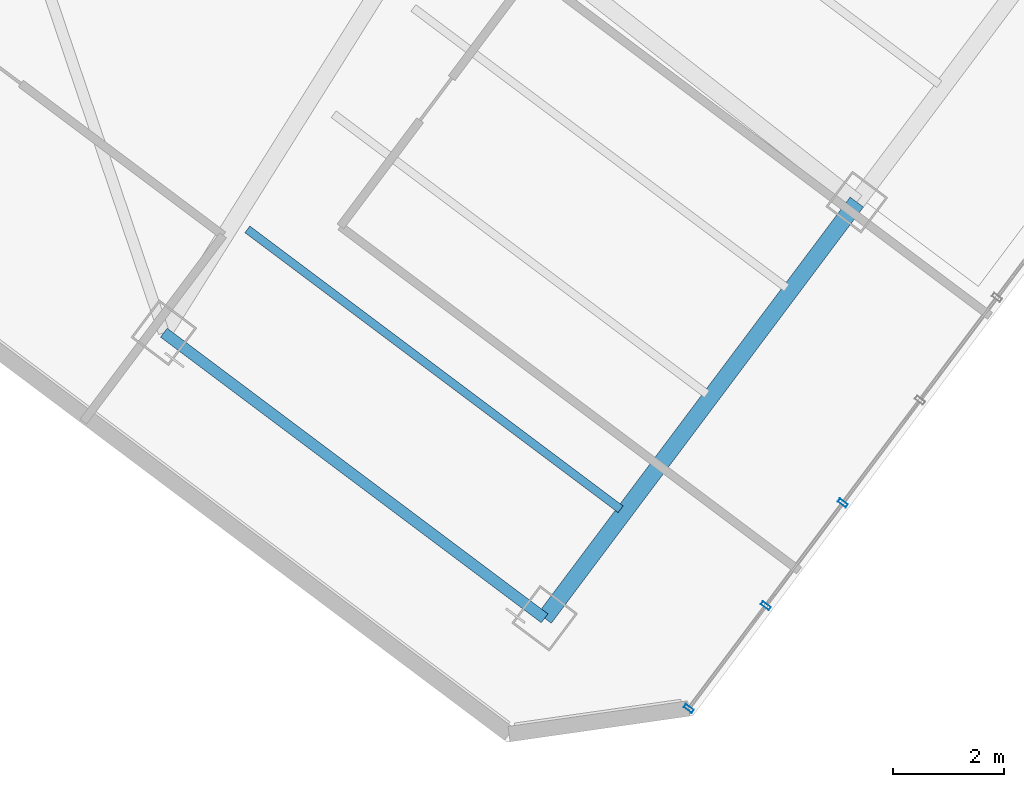
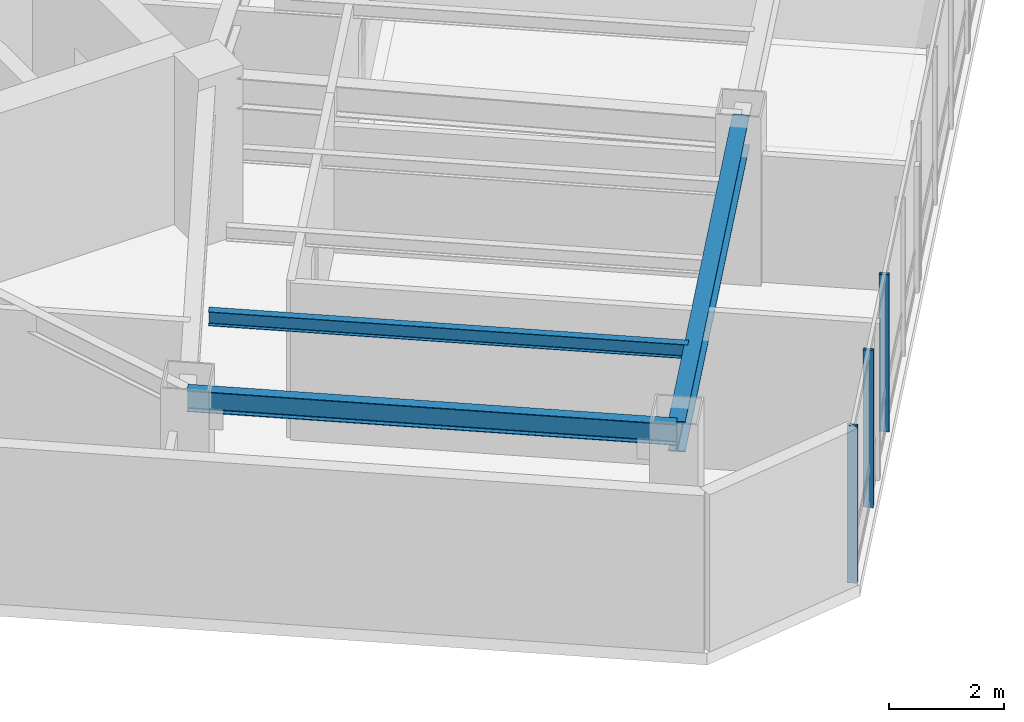
# One storey, part 10 of 27: 3 beams, 3 members, 1 element without a shape of its own.
"""IFC4 building model written with IfcOpenShell, lengths in metres."""

from ifc_helpers import new_model, si_unit, direction, frame, origin, origin_2d, place, context, subcontext, project, spatial, hollow_rectangle, i_section, extrude, material, layer, layer_set, material_profile, profile_set, type_object, element, aggregate, save


model = new_model("IFC4")

# Units and contexts
model_context = context("Model", 3, precision=1e-05, world=origin(), true_north=direction((0.0, 1.0)))
body_context = subcontext(model_context, "Body", "Model", "MODEL_VIEW")
ifc_project = project(units=[si_unit("LENGTHUNIT", "METRE"), si_unit("AREAUNIT", "SQUARE_METRE"), si_unit("VOLUMEUNIT", "CUBIC_METRE"), si_unit("PLANEANGLEUNIT", "RADIAN"), si_unit("MASSUNIT", "GRAM", prefix="KILO")], contexts=[model_context])

# Site, building, storey
site_placement = place(None, origin())
site = spatial("IfcSite", under=ifc_project, at=site_placement, CompositionType="ELEMENT")
building_placement = place(site_placement, origin())
building = spatial("IfcBuilding", under=site, at=building_placement, Name="Hatsunagi Terrace Concourse", CompositionType="ELEMENT")
storey_placement = place(building_placement, frame((0.0, 0.0, 142.050048828125)))
storey = spatial("IfcBuildingStorey", under=building, at=storey_placement, Name="L37", CompositionType="ELEMENT", Elevation=142.050048828125)

# Curtain wall, members
ifc_material_1 = material(Name="Anodised Aluminium Alloy 6063-T5", Category="aluminium")
ifc_layer = layer(ifc_material_1, 0.199951171875)
ifc_layer_set = layer_set([ifc_layer], Name="OfficeZone1_CW03")
curtain_wall_type = type_object("IfcCurtainWallType", Name="OfficeZone1_CW03", PredefinedType="NOTDEFINED", material=ifc_layer_set)
curtain_wall_placement = place(storey_placement, origin())
curtain_wall = element("IfcCurtainWall", 1, at=curtain_wall_placement, inside=storey, type_object=curtain_wall_type, Name="Unitised Curtain Wall CW-03 CW-L37-03", PredefinedType="NOTDEFINED")
ifc_material_2 = material(Name="Anodised Aluminium Alloy 6063-T5", Category="aluminium")
ifc_material_profile_1 = material_profile(ifc_material_2, hollow_rectangle(XDim=0.070068359375, YDim=0.179931640625, WallThickness=0.00390625, at=origin_2d()), Name="ALU-MUL-180x70x4")
ifc_profile_set_1 = profile_set([ifc_material_profile_1], Name="Anodised Aluminium Alloy 6063-T5")
member_type = type_object("IfcMemberType", Name="CurtainWallMullion_180x70", PredefinedType="MULLION", material=ifc_profile_set_1)
member_1_placement = place(storey_placement, frame((50.947021484375, 12.962890625, 0.0), z_axis=(0.0, 0.0, 1.0), x_axis=(-0.599969314634, -0.800023013105, 0.0)))
member_1 = element("IfcMember", 2, at=member_1_placement, type_object=member_type, Name="Curtain Wall Mullion MUL-02", PredefinedType="MULLION", context=body_context, shape_type="SweptSolid", body=[
    extrude(hollow_rectangle(XDim=0.070068359375, YDim=0.179931640625, WallThickness=0.00390625, at=origin_2d()), origin(), (0.0, 0.0, 1.0), 3.349853515625),
])
member_2_placement = place(storey_placement, frame((49.554931640625, 11.10595703125, 0.0), z_axis=(0.0, 0.0, 1.0), x_axis=(-0.599969314634, -0.800023013105, 0.0)))
member_2 = element("IfcMember", 3, at=member_2_placement, type_object=member_type, Name="Curtain Wall Mullion MUL-02", PredefinedType="MULLION", context=body_context, shape_type="SweptSolid", body=[
    extrude(hollow_rectangle(XDim=0.070068359375, YDim=0.179931640625, WallThickness=0.00390625, at=origin_2d()), origin(), (0.0, 0.0, 1.0), 3.349853515625),
])
member_3_placement = place(storey_placement, frame((48.1630859375, 9.25, 0.0), z_axis=(0.0, 0.0, 1.0), x_axis=(-0.599969314634, -0.800023013105, 0.0)))
member_3 = element("IfcMember", 4, at=member_3_placement, type_object=member_type, Name="Curtain Wall Mullion MUL-02", PredefinedType="MULLION", context=body_context, shape_type="SweptSolid", body=[
    extrude(hollow_rectangle(XDim=0.070068359375, YDim=0.179931640625, WallThickness=0.00390625, at=origin_2d()), origin(), (0.0, 0.0, 1.0), 3.349853515625),
])
aggregate(curtain_wall, [member_1, member_2, member_3])

# Beams
ifc_material_3 = material(Name="Steel SN490B", Category="steel")
ifc_material_profile_2 = material_profile(ifc_material_3, i_section(OverallWidth=0.14990234375, OverallDepth=0.300048828125, WebThickness=0.006591796875, FlangeThickness=0.009033203125, FilletRadius=0.010986328125, at=origin_2d()), Name="H-300x150x6.5x9")
ifc_profile_set_2 = profile_set([ifc_material_profile_2], Name="Steel SN490B")
beam_type_1 = type_object("IfcBeamType", Name="OfficeJoist_H_300x150", PredefinedType="JOIST", material=ifc_profile_set_2)
beam_1_placement = place(storey_placement, frame((40.18798828125, 17.908935546875, 3.199951171875), z_axis=(0.800003475366, -0.59999536615, 0.0), x_axis=(0.59999536615, 0.800003475366, 0.0)))
element("IfcBeam", 5, at=beam_1_placement, inside=storey, type_object=beam_type_1, Name="Beam J-03 J-L37-SE-2-46", PredefinedType="JOIST", context=body_context, shape_type="SweptSolid", body=[
    extrude(i_section(OverallWidth=0.14990234375, OverallDepth=0.300048828125, WebThickness=0.006591796875, FlangeThickness=0.009033203125, FilletRadius=0.010986328125, at=origin_2d()), origin(), (0.0, 0.0, 1.0), 8.429931640625),
])
ifc_material_4 = material(Name="Steel SN490B", Category="steel")
ifc_material_profile_3 = material_profile(ifc_material_4, i_section(OverallWidth=0.300048828125, OverallDepth=0.64990234375, WebThickness=0.012939453125, FlangeThickness=0.02197265625, FilletRadius=0.01806640625, at=origin_2d()), Name="H-650x300x13x22")
ifc_profile_set_3 = profile_set([ifc_material_profile_3], Name="Steel SN490B")
beam_type_2 = type_object("IfcBeamType", Name="OfficeLowGirder_H_650x300", PredefinedType="BEAM", material=ifc_profile_set_3)
beam_2_placement = place(storey_placement, frame((45.56005859375, 10.8798828125, 3.02490234375), z_axis=(0.599991688754, 0.800006233367, 0.0), x_axis=(-0.800006233367, 0.599991688754, 0.0)))
element("IfcBeam", 6, at=beam_2_placement, inside=storey, type_object=beam_type_2, Name="Beam G-05 BM-L37-SET-2A", PredefinedType="BEAM", context=body_context, shape_type="SweptSolid", body=[
    extrude(i_section(OverallWidth=0.300048828125, OverallDepth=0.64990234375, WebThickness=0.012939453125, FlangeThickness=0.02197265625, FilletRadius=0.01806640625, at=origin_2d()), origin(), (0.0, 0.0, 1.0), 9.39990234375),
])
ifc_material_5 = material(Name="Steel SN490B", Category="steel")
ifc_material_profile_4 = material_profile(ifc_material_5, i_section(OverallWidth=0.199951171875, OverallDepth=0.449951171875, WebThickness=0.009033203125, FlangeThickness=0.013916015625, FilletRadius=0.01611328125, at=origin_2d()), Name="H-450x200x9x14")
ifc_profile_set_4 = profile_set([ifc_material_profile_4], Name="Steel SN490B")
beam_type_3 = type_object("IfcBeamType", Name="PerimeterSpandrel_H_450x200", PredefinedType="SPANDREL", material=ifc_profile_set_4)
beam_3_placement = place(storey_placement, frame((38.679931640625, 16.0400390625, 3.125), z_axis=(0.799996593451, -0.600004542038, 0.0), x_axis=(0.600004542038, 0.799996593451, 0.0)))
element("IfcBeam", 7, at=beam_3_placement, inside=storey, type_object=beam_type_3, Name="Beam SP-02 BM-L37-SE-SW2", PredefinedType="SPANDREL", context=body_context, shape_type="SweptSolid", body=[
    extrude(i_section(OverallWidth=0.199951171875, OverallDepth=0.449951171875, WebThickness=0.009033203125, FlangeThickness=0.013916015625, FilletRadius=0.01611328125, at=origin_2d()), origin(), (0.0, 0.0, 1.0), 8.60009765625),
])

save(model, "model.ifc")
